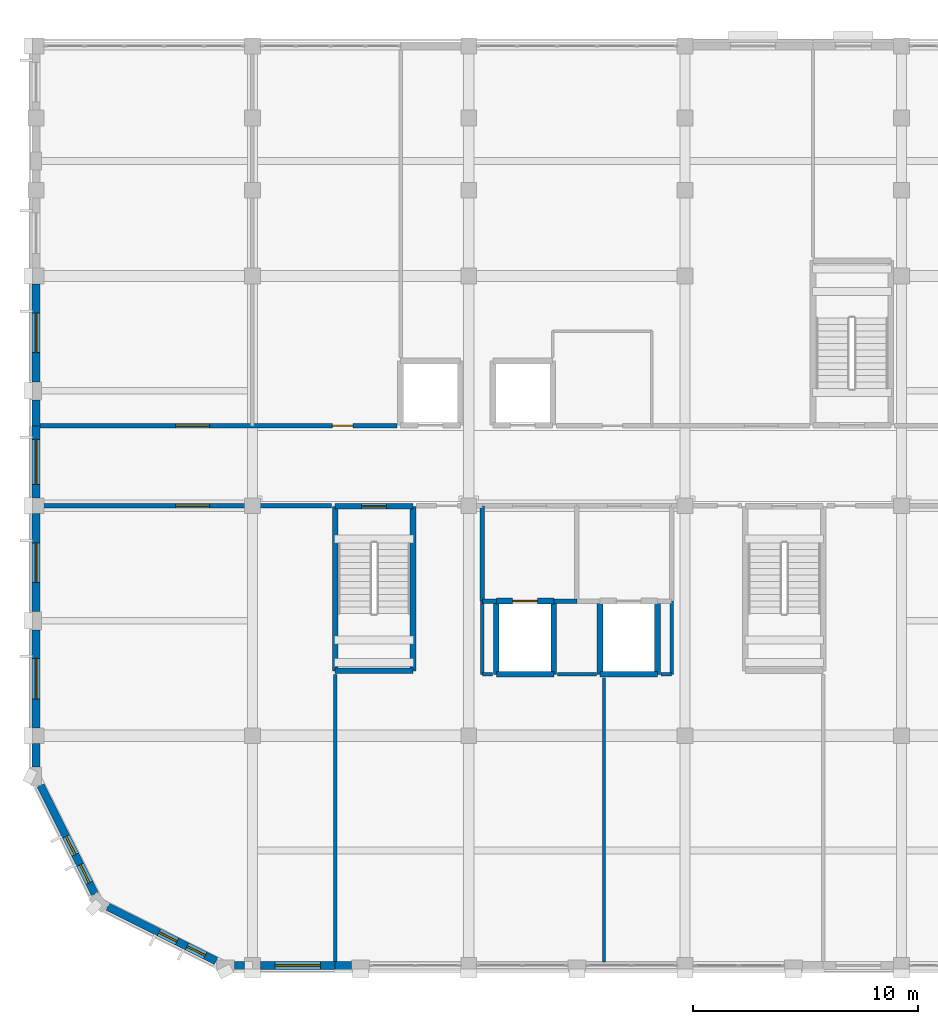
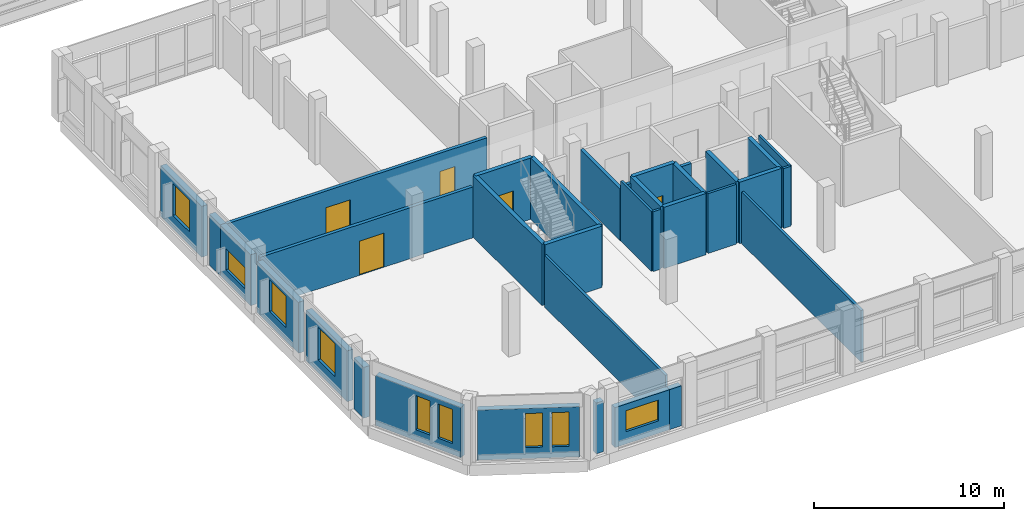
# One storey, part 155 of 185: 34 walls, 9 windows, 5 doors, 14 openings.
"""IFC4 building model written with IfcOpenShell, lengths in metres."""

from ifc_helpers import new_model, si_unit, direction, frame, frame_2d, origin, place, context, subcontext, project, spatial, rectangle, extrude, material, layer, layer_set, type_object, element, fill, save


model = new_model("IFC4")

# Units and contexts
model_context = context("Model", 3, precision=1e-05, world=origin(), true_north=direction((0.0, 1.0)))
body_context = subcontext(model_context, "Body", "Model", "MODEL_VIEW")
ifc_project = project(units=[si_unit("LENGTHUNIT", "METRE"), si_unit("AREAUNIT", "SQUARE_METRE"), si_unit("VOLUMEUNIT", "CUBIC_METRE"), si_unit("PLANEANGLEUNIT", "RADIAN"), si_unit("MASSUNIT", "GRAM", prefix="KILO")], contexts=[model_context])

# Site, building, storey
site_placement = place(None, origin())
site = spatial("IfcSite", under=ifc_project, at=site_placement, CompositionType="ELEMENT")
building_placement = place(site_placement, origin())
building = spatial("IfcBuilding", under=site, at=building_placement, Name="Vondelvale Polytechnic", CompositionType="ELEMENT")
storey_placement = place(building_placement, frame((0.0, 0.0, 9.60009765625)))
storey = spatial("IfcBuildingStorey", under=building, at=storey_placement, Name="L02", CompositionType="ELEMENT", Elevation=9.60009765625)

# Wall, openings, windows
ifc_material_1 = material(Name="Amsterdam School iron-spot clinker clay brickwork", Category="masonry")
ifc_layer_1 = layer(ifc_material_1, 0.35009765625)
ifc_layer_set_1 = layer_set([ifc_layer_1], Name="WL-BRICK-350")
wall_type_1 = type_object("IfcWallType", Name="WL-BRICK-350", PredefinedType="SOLIDWALL", material=ifc_layer_set_1)
wall_1_placement = place(storey_placement, frame((7.9990234375, 0.200439453125, 0.0), z_axis=(0.0, 0.0, 1.0), x_axis=(-0.894418132042, 0.447231712958, 0.0)))
wall_1 = element("IfcWall", 1, at=wall_1_placement, inside=storey, type_object=wall_type_1, Name="L02 exterior masonry facade wall", PredefinedType="SOLIDWALL", context=body_context, shape_type="SweptSolid", body=[
    extrude(rectangle(XDim=5.39013671875, YDim=0.35009765625, at=frame_2d((2.695068359375, 0.0))), origin(), (0.0, 0.0, 1.0), 3.22998046875),
])
opening_1_placement = place(wall_1_placement, frame((0.550048828125, 0.0, 0.699951171875)))
opening_1 = element("IfcOpeningElement", 2, at=opening_1_placement, cuts=wall_1, Name="Opening WN-0183", PredefinedType="OPENING", context=body_context, shape_type="SweptSolid", body=[
    extrude(rectangle(XDim=0.89990234375, YDim=2.199951171875, at=frame_2d((0.449951171875, 1.10009765625))), frame((0.0, 0.18505859375, 0.0), z_axis=(0.0, -1.0, 0.0), x_axis=(1.0, 0.0, 0.0)), (0.0, 0.0, 1.0), 0.3701171875),
])
opening_2_placement = place(wall_1_placement, frame((1.949951171875, 0.0, 0.699951171875)))
opening_2 = element("IfcOpeningElement", 3, at=opening_2_placement, cuts=wall_1, Name="Opening WN-0184", PredefinedType="OPENING", context=body_context, shape_type="SweptSolid", body=[
    extrude(rectangle(XDim=0.89990234375, YDim=2.199951171875, at=frame_2d((0.449951171875, 1.10009765625))), frame((0.0, 0.18505859375, 0.0), z_axis=(0.0, -1.0, 0.0), x_axis=(1.0, 0.0, 0.0)), (0.0, 0.0, 1.0), 0.3701171875),
])
ifc_material_2 = material(Name="Double-glazed low-E insulated architectural glass", Category="glass")
window_type_1 = type_object("IfcWindowType", Name="WN-TUR-0900x2200", PartitioningType="SINGLE_PANEL", PredefinedType="WINDOW", material=ifc_material_2)
window_1_placement = place(opening_1_placement, origin())
window_1 = element("IfcWindow", 4, at=window_1_placement, inside=storey, type_object=window_type_1, Name="L02 double-glazed architectural window WN-0183", OverallHeight=2.199951171875, OverallWidth=0.89990234375, PartitioningType="SINGLE_PANEL", PredefinedType="WINDOW", context=body_context, shape_type="SweptSolid", body=[
    extrude(rectangle(XDim=0.89990234375, YDim=2.199951171875, at=frame_2d((0.449951171875, 1.10009765625))), frame((0.0, 0.030029296875, 0.0), z_axis=(0.0, -1.0, 0.0), x_axis=(1.0, 0.0, 0.0)), (0.0, 0.0, 1.0), 0.06005859375),
])
fill(opening_1, window_1)
window_2_placement = place(opening_2_placement, origin())
window_2 = element("IfcWindow", 5, at=window_2_placement, inside=storey, type_object=window_type_1, Name="L02 double-glazed architectural window WN-0184", OverallHeight=2.199951171875, OverallWidth=0.89990234375, PartitioningType="SINGLE_PANEL", PredefinedType="WINDOW", context=body_context, shape_type="SweptSolid", body=[
    extrude(rectangle(XDim=0.89990234375, YDim=2.199951171875, at=frame_2d((0.449951171875, 1.10009765625))), frame((0.0, 0.030029296875, 0.0), z_axis=(0.0, -1.0, 0.0), x_axis=(1.0, 0.0, 0.0)), (0.0, 0.0, 1.0), 0.06005859375),
])
fill(opening_2, window_2)

wall_2_placement = place(storey_placement, frame((2.611083984375, 3.177978515625, 0.0), z_axis=(0.0, 0.0, 1.0), x_axis=(-0.447231712958, 0.894418132042, 0.0)))
wall_2 = element("IfcWall", 6, at=wall_2_placement, inside=storey, type_object=wall_type_1, Name="L02 exterior masonry facade wall", PredefinedType="SOLIDWALL", context=body_context, shape_type="SweptSolid", body=[
    extrude(rectangle(XDim=5.39013671875, YDim=0.35009765625, at=frame_2d((2.695068359375, 0.0))), origin(), (0.0, 0.0, 1.0), 3.22998046875),
])
opening_3_placement = place(wall_2_placement, frame((0.550048828125, 0.0, 0.699951171875)))
opening_3 = element("IfcOpeningElement", 7, at=opening_3_placement, cuts=wall_2, Name="Opening WN-0185", PredefinedType="OPENING", context=body_context, shape_type="SweptSolid", body=[
    extrude(rectangle(XDim=0.89990234375, YDim=2.199951171875, at=frame_2d((0.449951171875, 1.10009765625))), frame((0.0, 0.18505859375, 0.0), z_axis=(0.0, -1.0, 0.0), x_axis=(1.0, 0.0, 0.0)), (0.0, 0.0, 1.0), 0.3701171875),
])
opening_4_placement = place(wall_2_placement, frame((1.949951171875, 0.0, 0.699951171875)))
opening_4 = element("IfcOpeningElement", 8, at=opening_4_placement, cuts=wall_2, Name="Opening WN-0186", PredefinedType="OPENING", context=body_context, shape_type="SweptSolid", body=[
    extrude(rectangle(XDim=0.89990234375, YDim=2.199951171875, at=frame_2d((0.449951171875, 1.10009765625))), frame((0.0, 0.18505859375, 0.0), z_axis=(0.0, -1.0, 0.0), x_axis=(1.0, 0.0, 0.0)), (0.0, 0.0, 1.0), 0.3701171875),
])
window_3_placement = place(opening_3_placement, origin())
window_3 = element("IfcWindow", 9, at=window_3_placement, inside=storey, type_object=window_type_1, Name="L02 double-glazed architectural window WN-0185", OverallHeight=2.199951171875, OverallWidth=0.89990234375, PartitioningType="SINGLE_PANEL", PredefinedType="WINDOW", context=body_context, shape_type="SweptSolid", body=[
    extrude(rectangle(XDim=0.89990234375, YDim=2.199951171875, at=frame_2d((0.449951171875, 1.10009765625))), frame((0.0, 0.030029296875, 0.0), z_axis=(0.0, -1.0, 0.0), x_axis=(1.0, 0.0, 0.0)), (0.0, 0.0, 1.0), 0.06005859375),
])
fill(opening_3, window_3)
window_4_placement = place(opening_4_placement, origin())
window_4 = element("IfcWindow", 10, at=window_4_placement, inside=storey, type_object=window_type_1, Name="L02 double-glazed architectural window WN-0186", OverallHeight=2.199951171875, OverallWidth=0.89990234375, PartitioningType="SINGLE_PANEL", PredefinedType="WINDOW", context=body_context, shape_type="SweptSolid", body=[
    extrude(rectangle(XDim=0.89990234375, YDim=2.199951171875, at=frame_2d((0.449951171875, 1.10009765625))), frame((0.0, 0.030029296875, 0.0), z_axis=(0.0, -1.0, 0.0), x_axis=(1.0, 0.0, 0.0)), (0.0, 0.0, 1.0), 0.06005859375),
])
fill(opening_4, window_4)

# Wall
wall_3_placement = place(storey_placement, frame((9.2490234375, 0.0, 0.0), z_axis=(0.0, 0.0, 1.0), x_axis=(-1.0, 0.0, 0.0)))
element("IfcWall", 11, at=wall_3_placement, inside=storey, type_object=wall_type_1, Name="L02 exterior masonry facade wall", PredefinedType="SOLIDWALL", context=body_context, shape_type="SweptSolid", body=[
    extrude(rectangle(XDim=0.447998046875, YDim=0.35009765625, at=frame_2d((0.22412109375, 0.0))), origin(), (0.0, 0.0, 1.0), 3.27978515625),
])

# Wall, opening, window
wall_4_placement = place(storey_placement, frame((13.27490234375, 0.0, 0.0), z_axis=(0.0, 0.0, 1.0), x_axis=(-1.0, 0.0, 0.0)))
wall_4 = element("IfcWall", 12, at=wall_4_placement, inside=storey, type_object=wall_type_1, Name="L02 exterior masonry facade wall", PredefinedType="SOLIDWALL", context=body_context, shape_type="SweptSolid", body=[
    extrude(rectangle(XDim=3.323974609375, YDim=0.35009765625, at=frame_2d((1.662109375, 0.0))), origin(), (0.0, 0.0, 1.0), 2.579833984375),
])
opening_5_placement = place(wall_4_placement, frame((0.662109375, 0.0, 0.800048828125)))
opening_5 = element("IfcOpeningElement", 13, at=opening_5_placement, cuts=wall_4, Name="Opening WN-0187", PredefinedType="OPENING", context=body_context, shape_type="SweptSolid", body=[
    extrude(rectangle(XDim=2.0, YDim=1.35009765625, at=frame_2d((1.0, 0.675048828125))), frame((0.0, 0.18505859375, 0.0), z_axis=(0.0, -1.0, 0.0), x_axis=(1.0, 0.0, 0.0)), (0.0, 0.0, 1.0), 0.3701171875),
])
window_type_2 = type_object("IfcWindowType", Name="WN-RIB-2000x1350", PartitioningType="SINGLE_PANEL", PredefinedType="WINDOW", material=ifc_material_2)
window_5_placement = place(opening_5_placement, origin())
window_5 = element("IfcWindow", 14, at=window_5_placement, inside=storey, type_object=window_type_2, Name="L02 double-glazed architectural window WN-0187", OverallHeight=1.35009765625, OverallWidth=2.0, PartitioningType="SINGLE_PANEL", PredefinedType="WINDOW", context=body_context, shape_type="SweptSolid", body=[
    extrude(rectangle(XDim=2.0, YDim=1.35009765625, at=frame_2d((1.0, 0.675048828125))), frame((0.0, 0.030029296875, 0.0), z_axis=(0.0, -1.0, 0.0), x_axis=(1.0, 0.0, 0.0)), (0.0, 0.0, 1.0), 0.06005859375),
])
fill(opening_5, window_5)

# Walls
wall_5_placement = place(storey_placement, frame((13.9990234375, 0.0, 0.0), z_axis=(0.0, 0.0, 1.0), x_axis=(-1.0, 0.0, 0.0)))
element("IfcWall", 15, at=wall_5_placement, inside=storey, type_object=wall_type_1, Name="L02 exterior masonry facade wall", PredefinedType="SOLIDWALL", context=body_context, shape_type="SweptSolid", body=[
    extrude(rectangle(XDim=0.72412109375, YDim=0.35009765625, at=frame_2d((0.362060546875, 0.0))), origin(), (0.0, 0.0, 1.0), 2.579833984375),
])
wall_6_placement = place(storey_placement, frame((0.0, 8.801025390625, 0.0), z_axis=(0.0, 0.0, 1.0), x_axis=(0.0, 1.0, 0.0)))
element("IfcWall", 16, at=wall_6_placement, inside=storey, type_object=wall_type_1, Name="L02 exterior masonry facade wall", PredefinedType="SOLIDWALL", context=body_context, shape_type="SweptSolid", body=[
    extrude(rectangle(XDim=1.048095703125, YDim=0.35009765625, at=frame_2d((0.52392578125, 0.0))), origin(), (0.0, 0.0, 1.0), 3.27978515625),
])

# Wall, opening, window
wall_7_placement = place(storey_placement, frame((0.0, 10.551025390625, 0.0), z_axis=(0.0, 0.0, 1.0), x_axis=(0.0, 1.0, 0.0)))
wall_7 = element("IfcWall", 17, at=wall_7_placement, inside=storey, type_object=wall_type_1, Name="L02 exterior masonry facade wall", PredefinedType="SOLIDWALL", context=body_context, shape_type="SweptSolid", body=[
    extrude(rectangle(XDim=4.347900390625, YDim=0.35009765625, at=frame_2d((2.173828125, 0.0))), origin(), (0.0, 0.0, 1.0), 3.27978515625),
])
opening_6_placement = place(wall_7_placement, frame((1.27392578125, 0.0, 0.85009765625)))
opening_6 = element("IfcOpeningElement", 18, at=opening_6_placement, cuts=wall_7, Name="Opening WN-0189", PredefinedType="OPENING", context=body_context, shape_type="SweptSolid", body=[
    extrude(rectangle(XDim=1.800048828125, YDim=2.10009765625, at=frame_2d((0.89990234375, 1.050048828125))), frame((0.0, 0.18505859375, 0.0), z_axis=(0.0, -1.0, 0.0), x_axis=(1.0, 0.0, 0.0)), (0.0, 0.0, 1.0), 0.3701171875),
])
window_type_3 = type_object("IfcWindowType", Name="WN-LAB-1800x2100", PartitioningType="SINGLE_PANEL", PredefinedType="WINDOW", material=ifc_material_2)
window_6_placement = place(opening_6_placement, origin())
window_6 = element("IfcWindow", 19, at=window_6_placement, inside=storey, type_object=window_type_3, Name="L02 double-glazed architectural window WN-0189", OverallHeight=2.10009765625, OverallWidth=1.800048828125, PartitioningType="SINGLE_PANEL", PredefinedType="WINDOW", context=body_context, shape_type="SweptSolid", body=[
    extrude(rectangle(XDim=1.800048828125, YDim=2.10009765625, at=frame_2d((0.89990234375, 1.050048828125))), frame((0.0, 0.030029296875, 0.0), z_axis=(0.0, -1.0, 0.0), x_axis=(1.0, 0.0, 0.0)), (0.0, 0.0, 1.0), 0.06005859375),
])
fill(opening_6, window_6)

wall_8_placement = place(storey_placement, frame((0.0, 15.700927734375, 0.0), z_axis=(0.0, 0.0, 1.0), x_axis=(0.0, 1.0, 0.0)))
wall_8 = element("IfcWall", 20, at=wall_8_placement, inside=storey, type_object=wall_type_1, Name="L02 exterior masonry facade wall", PredefinedType="SOLIDWALL", context=body_context, shape_type="SweptSolid", body=[
    extrude(rectangle(XDim=4.34814453125, YDim=0.35009765625, at=frame_2d((2.174072265625, 0.0))), origin(), (0.0, 0.0, 1.0), 3.27978515625),
])
opening_7_placement = place(wall_8_placement, frame((1.299072265625, 0.0, 0.85009765625)))
opening_7 = element("IfcOpeningElement", 21, at=opening_7_placement, cuts=wall_8, Name="Opening WN-0190", PredefinedType="OPENING", context=body_context, shape_type="SweptSolid", body=[
    extrude(rectangle(XDim=1.75, YDim=2.050048828125, at=frame_2d((0.875, 1.02490234375))), frame((0.0, 0.18505859375, 0.0), z_axis=(0.0, -1.0, 0.0), x_axis=(1.0, 0.0, 0.0)), (0.0, 0.0, 1.0), 0.3701171875),
])
window_type_4 = type_object("IfcWindowType", Name="WN-LAB-1750x2050", PartitioningType="SINGLE_PANEL", PredefinedType="WINDOW", material=ifc_material_2)
window_7_placement = place(opening_7_placement, origin())
window_7 = element("IfcWindow", 22, at=window_7_placement, inside=storey, type_object=window_type_4, Name="L02 double-glazed architectural window WN-0190", OverallHeight=2.050048828125, OverallWidth=1.75, PartitioningType="SINGLE_PANEL", PredefinedType="WINDOW", context=body_context, shape_type="SweptSolid", body=[
    extrude(rectangle(XDim=1.75, YDim=2.050048828125, at=frame_2d((0.875, 1.02490234375))), frame((0.0, 0.030029296875, 0.0), z_axis=(0.0, -1.0, 0.0), x_axis=(1.0, 0.0, 0.0)), (0.0, 0.0, 1.0), 0.06005859375),
])
fill(opening_7, window_7)

wall_9_placement = place(storey_placement, frame((0.0, 20.7509765625, 0.0), z_axis=(0.0, 0.0, 1.0), x_axis=(0.0, 1.0, 0.0)))
wall_9 = element("IfcWall", 23, at=wall_9_placement, inside=storey, type_object=wall_type_1, Name="L02 exterior masonry facade wall", PredefinedType="SOLIDWALL", context=body_context, shape_type="SweptSolid", body=[
    extrude(rectangle(XDim=3.198974609375, YDim=0.35009765625, at=frame_2d((1.599609375, 0.0))), origin(), (0.0, 0.0, 1.0), 3.27978515625),
])
opening_8_placement = place(wall_9_placement, frame((0.599609375, 0.0, 0.75)))
opening_8 = element("IfcOpeningElement", 24, at=opening_8_placement, cuts=wall_9, Name="Opening WN-0191", PredefinedType="OPENING", context=body_context, shape_type="SweptSolid", body=[
    extrude(rectangle(XDim=2.0, YDim=1.35009765625, at=frame_2d((1.0, 0.675048828125))), frame((0.0, 0.18505859375, 0.0), z_axis=(0.0, -1.0, 0.0), x_axis=(1.0, 0.0, 0.0)), (0.0, 0.0, 1.0), 0.3701171875),
])
window_8_placement = place(opening_8_placement, origin())
window_8 = element("IfcWindow", 25, at=window_8_placement, inside=storey, type_object=window_type_2, Name="L02 double-glazed architectural window WN-0191", OverallHeight=1.35009765625, OverallWidth=2.0, PartitioningType="SINGLE_PANEL", PredefinedType="WINDOW", context=body_context, shape_type="SweptSolid", body=[
    extrude(rectangle(XDim=2.0, YDim=1.35009765625, at=frame_2d((1.0, 0.675048828125))), frame((0.0, 0.030029296875, 0.0), z_axis=(0.0, -1.0, 0.0), x_axis=(1.0, 0.0, 0.0)), (0.0, 0.0, 1.0), 0.06005859375),
])
fill(opening_8, window_8)

# Wall
wall_10_placement = place(storey_placement, frame((0.0, 23.949951171875, 0.0), z_axis=(0.0, 0.0, 1.0), x_axis=(0.0, 1.0, 0.0)))
element("IfcWall", 26, at=wall_10_placement, inside=storey, type_object=wall_type_1, Name="L02 exterior masonry facade wall", PredefinedType="SOLIDWALL", context=body_context, shape_type="SweptSolid", body=[
    extrude(rectangle(XDim=1.149169921875, YDim=0.35009765625, at=frame_2d((0.57470703125, 0.0))), origin(), (0.0, 0.0, 1.0), 3.27978515625),
])

# Wall, opening, window
wall_11_placement = place(storey_placement, frame((0.0, 25.90087890625, 0.0), z_axis=(0.0, 0.0, 1.0), x_axis=(0.0, 1.0, 0.0)))
wall_11 = element("IfcWall", 27, at=wall_11_placement, inside=storey, type_object=wall_type_1, Name="L02 exterior masonry facade wall", PredefinedType="SOLIDWALL", context=body_context, shape_type="SweptSolid", body=[
    extrude(rectangle(XDim=4.34814453125, YDim=0.35009765625, at=frame_2d((2.174072265625, 0.0))), origin(), (0.0, 0.0, 1.0), 3.27978515625),
])
opening_9_placement = place(wall_11_placement, frame((1.299072265625, 0.0, 0.85009765625)))
opening_9 = element("IfcOpeningElement", 28, at=opening_9_placement, cuts=wall_11, Name="Opening WN-0192", PredefinedType="OPENING", context=body_context, shape_type="SweptSolid", body=[
    extrude(rectangle(XDim=1.75, YDim=2.050048828125, at=frame_2d((0.875, 1.02490234375))), frame((0.0, 0.18505859375, 0.0), z_axis=(0.0, -1.0, 0.0), x_axis=(1.0, 0.0, 0.0)), (0.0, 0.0, 1.0), 0.3701171875),
])
window_9_placement = place(opening_9_placement, origin())
window_9 = element("IfcWindow", 29, at=window_9_placement, inside=storey, type_object=window_type_4, Name="L02 double-glazed architectural window WN-0192", OverallHeight=2.050048828125, OverallWidth=1.75, PartitioningType="SINGLE_PANEL", PredefinedType="WINDOW", context=body_context, shape_type="SweptSolid", body=[
    extrude(rectangle(XDim=1.75, YDim=2.050048828125, at=frame_2d((0.875, 1.02490234375))), frame((0.0, 0.030029296875, 0.0), z_axis=(0.0, -1.0, 0.0), x_axis=(1.0, 0.0, 0.0)), (0.0, 0.0, 1.0), 0.06005859375),
])
fill(opening_9, window_9)

# Walls
ifc_material_3 = material(Name="Concrete N40 (f'c = 40 MPa)", Category="concrete")
ifc_layer_2 = layer(ifc_material_3, 0.25)
ifc_layer_set_2 = layer_set([ifc_layer_2], Name="WL-CORE-250")
wall_type_2 = type_object("IfcWallType", Name="WL-CORE-250", PredefinedType="SOLIDWALL", material=ifc_layer_set_2)
wall_12_placement = place(storey_placement, frame((13.27490234375, 20.375, 0.0), z_axis=(0.0, 0.0, 1.0), x_axis=(0.0, -1.0, 0.0)))
element("IfcWall", 30, at=wall_12_placement, inside=storey, type_object=wall_type_2, Name="L02 ST-03 reinforced concrete stair core wall", PredefinedType="SOLIDWALL", context=body_context, shape_type="SweptSolid", body=[
    extrude(rectangle(XDim=7.300048828125, YDim=0.25, at=frame_2d((3.64990234375, 0.0))), origin(), (0.0, 0.0, 1.0), 3.949951171875),
])
wall_13_placement = place(storey_placement, frame((13.27490234375, 13.074951171875, 0.0), z_axis=(0.0, 0.0, 1.0), x_axis=(1.0, 0.0, 0.0)))
element("IfcWall", 31, at=wall_13_placement, inside=storey, type_object=wall_type_2, Name="L02 ST-03 reinforced concrete stair core wall", PredefinedType="SOLIDWALL", context=body_context, shape_type="SweptSolid", body=[
    extrude(rectangle(XDim=3.4501953125, YDim=0.25, at=frame_2d((1.72509765625, 0.0))), origin(), (0.0, 0.0, 1.0), 3.949951171875),
])
wall_14_placement = place(storey_placement, frame((16.72509765625, 13.074951171875, 0.0), z_axis=(0.0, 0.0, 1.0), x_axis=(0.0, 1.0, 0.0)))
element("IfcWall", 32, at=wall_14_placement, inside=storey, type_object=wall_type_2, Name="L02 ST-03 reinforced concrete stair core wall", PredefinedType="SOLIDWALL", context=body_context, shape_type="SweptSolid", body=[
    extrude(rectangle(XDim=7.300048828125, YDim=0.25, at=frame_2d((3.64990234375, 0.0))), origin(), (0.0, 0.0, 1.0), 3.949951171875),
])

# Wall, opening, door
wall_15_placement = place(storey_placement, frame((16.72509765625, 20.375, 0.0), z_axis=(0.0, 0.0, 1.0), x_axis=(-1.0, 0.0, 0.0)))
wall_15 = element("IfcWall", 33, at=wall_15_placement, inside=storey, type_object=wall_type_2, Name="L02 ST-03 reinforced concrete stair core wall", PredefinedType="SOLIDWALL", context=body_context, shape_type="SweptSolid", body=[
    extrude(rectangle(XDim=3.4501953125, YDim=0.25, at=frame_2d((1.72509765625, 0.0))), origin(), (0.0, 0.0, 1.0), 3.949951171875),
])
opening_10_placement = place(wall_15_placement, frame((1.175048828125, 0.0, 0.0)))
opening_10 = element("IfcOpeningElement", 34, at=opening_10_placement, cuts=wall_15, Name="Opening SD-012", PredefinedType="OPENING", context=body_context, shape_type="SweptSolid", body=[
    extrude(rectangle(XDim=1.10009765625, YDim=2.199951171875, at=frame_2d((0.550048828125, 1.10009765625))), frame((0.0, 0.135009765625, 0.0), z_axis=(0.0, -1.0, 0.0), x_axis=(1.0, 0.0, 0.0)), (0.0, 0.0, 1.0), 0.27001953125),
])
ifc_material_4 = material(Name="Brushed architectural stainless and zinc-coated metal")
door_type_1 = type_object("IfcDoorType", Name="DR-STAIR-1100x2200", OperationType="SINGLE_SWING_LEFT", PredefinedType="DOOR", material=ifc_material_4)
door_1_placement = place(opening_10_placement, origin())
door_1 = element("IfcDoor", 35, at=door_1_placement, inside=storey, type_object=door_type_1, Name="L02 ST-03 fire-isolated stair door", OperationType="SINGLE_SWING_RIGHT", OverallHeight=2.199951171875, OverallWidth=1.10009765625, PredefinedType="DOOR", context=body_context, shape_type="SweptSolid", body=[
    extrude(rectangle(XDim=1.10009765625, YDim=2.199951171875, at=frame_2d((0.550048828125, 1.10009765625))), frame((0.0, 0.02490234375, 0.0), z_axis=(0.0, -1.0, 0.0), x_axis=(1.0, 0.0, 0.0)), (0.0, 0.0, 1.0), 0.050048828125),
])
fill(opening_10, door_1)

# Walls
ifc_material_5 = material(Name="Fire-rated double-layer plasterboard stud partition")
ifc_layer_3 = layer(ifc_material_5, 0.199951171875)
ifc_layer_set_3 = layer_set([ifc_layer_3], Name="WL-CORR-200")
wall_type_3 = type_object("IfcWallType", Name="WL-CORR-200", PredefinedType="PARTITIONING", material=ifc_layer_set_3)
wall_16_placement = place(storey_placement, frame((19.800048828125, 16.175048828125, 0.0), z_axis=(0.0, 0.0, 1.0), x_axis=(0.0, 1.0, 0.0)))
element("IfcWall", 36, at=wall_16_placement, inside=storey, type_object=wall_type_3, Name="L02 EL-01 fire-isolated lift lobby wall", PredefinedType="PARTITIONING", context=body_context, shape_type="SweptSolid", body=[
    extrude(rectangle(XDim=4.224853515625, YDim=0.199951171875, at=frame_2d((2.1123046875, 0.0))), origin(), (0.0, 0.0, 1.0), 3.329833984375),
])
wall_17_placement = place(storey_placement, frame((19.800048828125, 16.175048828125, 0.0), z_axis=(0.0, 0.0, 1.0), x_axis=(1.0, 0.0, 0.0)))
element("IfcWall", 37, at=wall_17_placement, inside=storey, type_object=wall_type_3, Name="L02 EL-01 fire-isolated lift lobby wall", PredefinedType="PARTITIONING", context=body_context, shape_type="SweptSolid", body=[
    extrude(rectangle(XDim=0.625, YDim=0.199951171875, at=frame_2d((0.3125, 0.0))), origin(), (0.0, 0.0, 1.0), 3.5498046875),
])
wall_18_placement = place(storey_placement, frame((22.97509765625, 16.175048828125, 0.0), z_axis=(0.0, 0.0, 1.0), x_axis=(1.0, 0.0, 0.0)))
element("IfcWall", 38, at=wall_18_placement, inside=storey, type_object=wall_type_3, Name="L02 EL-01 fire-isolated lift lobby wall", PredefinedType="PARTITIONING", context=body_context, shape_type="SweptSolid", body=[
    extrude(rectangle(XDim=1.02490234375, YDim=0.199951171875, at=frame_2d((0.512451171875, 0.0))), origin(), (0.0, 0.0, 1.0), 3.5498046875),
])

# Wall, opening, door
wall_19_placement = place(storey_placement, frame((0.14990234375, 20.39990234375, 0.0), z_axis=(0.0, 0.0, 1.0), x_axis=(1.0, 0.0, 0.0)))
wall_19 = element("IfcWall", 39, at=wall_19_placement, inside=storey, type_object=wall_type_3, Name="L02 interior acoustic partition", PredefinedType="PARTITIONING", context=body_context, shape_type="SweptSolid", body=[
    extrude(rectangle(XDim=12.960205078125, YDim=0.199951171875, at=frame_2d((6.47998046875, 0.0))), origin(), (0.0, 0.0, 1.0), 3.27978515625),
])
opening_11_placement = place(wall_19_placement, frame((6.050048828125, 0.0, 0.0)))
opening_11 = element("IfcOpeningElement", 40, at=opening_11_placement, cuts=wall_19, Name="Opening ID-0158", PredefinedType="OPENING", context=body_context, shape_type="SweptSolid", body=[
    extrude(rectangle(XDim=1.5, YDim=2.199951171875, at=frame_2d((0.75, 1.10009765625))), frame((0.0, 0.10986328125, 0.0), z_axis=(0.0, -1.0, 0.0), x_axis=(1.0, 0.0, 0.0)), (0.0, 0.0, 1.0), 0.219970703125),
])
ifc_material_6 = material(Name="Fire-rated solid Tasmanian oak joinery")
door_type_2 = type_object("IfcDoorType", Name="DR-LAB-1500x2200", OperationType="DOUBLE_DOOR_SINGLE_SWING", PredefinedType="DOOR", material=ifc_material_6)
door_2_placement = place(opening_11_placement, origin())
door_2 = element("IfcDoor", 41, at=door_2_placement, inside=storey, type_object=door_type_2, Name="L02 interior room door ID-0158", OperationType="DOUBLE_DOOR_SINGLE_SWING", OverallHeight=2.199951171875, OverallWidth=1.5, PredefinedType="DOOR", context=body_context, shape_type="SweptSolid", body=[
    extrude(rectangle(XDim=1.5, YDim=2.199951171875, at=frame_2d((0.75, 1.10009765625))), frame((0.0, 0.02490234375, 0.0), z_axis=(0.0, -1.0, 0.0), x_axis=(1.0, 0.0, 0.0)), (0.0, 0.0, 1.0), 0.050048828125),
])
fill(opening_11, door_2)

# Wall, openings, doors
wall_20_placement = place(storey_placement, frame((0.14990234375, 23.949951171875, 0.0), z_axis=(0.0, 0.0, 1.0), x_axis=(1.0, 0.0, 0.0)))
wall_20 = element("IfcWall", 42, at=wall_20_placement, inside=storey, type_object=wall_type_3, Name="L02 interior acoustic partition", PredefinedType="PARTITIONING", context=body_context, shape_type="SweptSolid", body=[
    extrude(rectangle(XDim=15.860107421875, YDim=0.199951171875, at=frame_2d((7.93017578125, 0.0))), origin(), (0.0, 0.0, 1.0), 3.27978515625),
])
opening_12_placement = place(wall_20_placement, frame((6.050048828125, 0.0, 0.0)))
opening_12 = element("IfcOpeningElement", 43, at=opening_12_placement, cuts=wall_20, Name="Opening ID-0163", PredefinedType="OPENING", context=body_context, shape_type="SweptSolid", body=[
    extrude(rectangle(XDim=1.5, YDim=2.199951171875, at=frame_2d((0.75, 1.10009765625))), frame((0.0, 0.10986328125, 0.0), z_axis=(0.0, -1.0, 0.0), x_axis=(1.0, 0.0, 0.0)), (0.0, 0.0, 1.0), 0.219970703125),
])
opening_13_placement = place(wall_20_placement, frame((13.0, 0.0, 0.0)))
opening_13 = element("IfcOpeningElement", 44, at=opening_13_placement, cuts=wall_20, Name="Opening ID-0164", PredefinedType="OPENING", context=body_context, shape_type="SweptSolid", body=[
    extrude(rectangle(XDim=0.919921875, YDim=2.10009765625, at=frame_2d((0.4599609375, 1.050048828125))), frame((0.0, 0.10986328125, 0.0), z_axis=(0.0, -1.0, 0.0), x_axis=(1.0, 0.0, 0.0)), (0.0, 0.0, 1.0), 0.219970703125),
])
door_type_3 = type_object("IfcDoorType", Name="DR-INT-0920x2100", OperationType="SINGLE_SWING_LEFT", PredefinedType="DOOR", material=ifc_material_6)
door_3_placement = place(opening_13_placement, origin())
door_3 = element("IfcDoor", 45, at=door_3_placement, inside=storey, type_object=door_type_3, Name="L02 interior room door ID-0164", OperationType="SINGLE_SWING_RIGHT", OverallHeight=2.10009765625, OverallWidth=0.919921875, PredefinedType="DOOR", context=body_context, shape_type="SweptSolid", body=[
    extrude(rectangle(XDim=0.919921875, YDim=2.10009765625, at=frame_2d((0.4599609375, 1.050048828125))), frame((0.0, 0.02490234375, 0.0), z_axis=(0.0, -1.0, 0.0), x_axis=(1.0, 0.0, 0.0)), (0.0, 0.0, 1.0), 0.050048828125),
])
fill(opening_13, door_3)
door_4_placement = place(opening_12_placement, origin())
door_4 = element("IfcDoor", 46, at=door_4_placement, inside=storey, type_object=door_type_2, Name="L02 interior room door ID-0163", OperationType="DOUBLE_DOOR_SINGLE_SWING", OverallHeight=2.199951171875, OverallWidth=1.5, PredefinedType="DOOR", context=body_context, shape_type="SweptSolid", body=[
    extrude(rectangle(XDim=1.5, YDim=2.199951171875, at=frame_2d((0.75, 1.10009765625))), frame((0.0, 0.02490234375, 0.0), z_axis=(0.0, -1.0, 0.0), x_axis=(1.0, 0.0, 0.0)), (0.0, 0.0, 1.0), 0.050048828125),
])
fill(opening_12, door_4)

# Walls
ifc_layer_4 = layer(ifc_material_5, 0.14990234375)
ifc_layer_set_4 = layer_set([ifc_layer_4], Name="WL-INT-150")
wall_type_4 = type_object("IfcWallType", Name="WL-INT-150", PredefinedType="PARTITIONING", material=ifc_layer_set_4)
wall_21_placement = place(storey_placement, frame((13.27490234375, 0.14990234375, 0.0), z_axis=(0.0, 0.0, 1.0), x_axis=(0.0, 1.0, 0.0)))
element("IfcWall", 47, at=wall_21_placement, inside=storey, type_object=wall_type_4, Name="L02 interior acoustic partition", PredefinedType="PARTITIONING", context=body_context, shape_type="SweptSolid", body=[
    extrude(rectangle(XDim=12.760009765625, YDim=0.14990234375, at=frame_2d((6.3798828125, 0.0))), origin(), (0.0, 0.0, 1.0), 3.329833984375),
])
wall_22_placement = place(storey_placement, frame((19.800048828125, 12.925048828125, 0.0), z_axis=(0.0, 0.0, 1.0), x_axis=(1.0, 0.0, 0.0)))
element("IfcWall", 48, at=wall_22_placement, inside=storey, type_object=wall_type_4, Name="L02 interior acoustic partition", PredefinedType="PARTITIONING", context=body_context, shape_type="SweptSolid", body=[
    extrude(rectangle(XDim=0.4599609375, YDim=0.14990234375, at=frame_2d((0.22998046875, 0.0))), origin(), (0.0, 0.0, 1.0), 3.849853515625),
])
wall_23_placement = place(storey_placement, frame((23.139892578125, 12.925048828125, 0.0), z_axis=(0.0, 0.0, 1.0), x_axis=(1.0, 0.0, 0.0)))
element("IfcWall", 49, at=wall_23_placement, inside=storey, type_object=wall_type_4, Name="L02 interior acoustic partition", PredefinedType="PARTITIONING", context=body_context, shape_type="SweptSolid", body=[
    extrude(rectangle(XDim=1.72021484375, YDim=0.14990234375, at=frame_2d((0.860107421875, 0.0))), origin(), (0.0, 0.0, 1.0), 3.849853515625),
])
wall_24_placement = place(storey_placement, frame((27.739990234375, 12.925048828125, 0.0), z_axis=(0.0, 0.0, 1.0), x_axis=(1.0, 0.0, 0.0)))
element("IfcWall", 50, at=wall_24_placement, inside=storey, type_object=wall_type_4, Name="L02 interior acoustic partition", PredefinedType="PARTITIONING", context=body_context, shape_type="SweptSolid", body=[
    extrude(rectangle(XDim=0.4599609375, YDim=0.14990234375, at=frame_2d((0.22998046875, 0.0))), origin(), (0.0, 0.0, 1.0), 3.849853515625),
])
wall_25_placement = place(storey_placement, frame((19.800048828125, 12.925048828125, 0.0), z_axis=(0.0, 0.0, 1.0), x_axis=(0.0, 1.0, 0.0)))
element("IfcWall", 51, at=wall_25_placement, inside=storey, type_object=wall_type_4, Name="L02 interior acoustic partition", PredefinedType="PARTITIONING", context=body_context, shape_type="SweptSolid", body=[
    extrude(rectangle(XDim=3.25, YDim=0.14990234375, at=frame_2d((1.625, 0.0))), origin(), (0.0, 0.0, 1.0), 3.849853515625),
])
wall_26_placement = place(storey_placement, frame((25.199951171875, 0.14990234375, 0.0), z_axis=(0.0, 0.0, 1.0), x_axis=(0.0, 1.0, 0.0)))
element("IfcWall", 52, at=wall_26_placement, inside=storey, type_object=wall_type_4, Name="L02 interior acoustic partition", PredefinedType="PARTITIONING", context=body_context, shape_type="SweptSolid", body=[
    extrude(rectangle(XDim=12.610107421875, YDim=0.14990234375, at=frame_2d((6.30517578125, 0.0))), origin(), (0.0, 0.0, 1.0), 3.329833984375),
])
wall_27_placement = place(storey_placement, frame((28.199951171875, 12.925048828125, 0.0), z_axis=(0.0, 0.0, 1.0), x_axis=(0.0, 1.0, 0.0)))
element("IfcWall", 53, at=wall_27_placement, inside=storey, type_object=wall_type_4, Name="L02 interior acoustic partition", PredefinedType="PARTITIONING", context=body_context, shape_type="SweptSolid", body=[
    extrude(rectangle(XDim=3.25, YDim=0.14990234375, at=frame_2d((1.625, 0.0))), origin(), (0.0, 0.0, 1.0), 3.849853515625),
])
ifc_layer_5 = layer(ifc_material_3, 0.25)
ifc_layer_set_5 = layer_set([ifc_layer_5], Name="WL-SHAFT-250")
wall_type_5 = type_object("IfcWallType", Name="WL-SHAFT-250", PredefinedType="SOLIDWALL", material=ifc_layer_set_5)
wall_28_placement = place(storey_placement, frame((20.425048828125, 12.925048828125, 0.0), z_axis=(0.0, 0.0, 1.0), x_axis=(1.0, 0.0, 0.0)))
element("IfcWall", 54, at=wall_28_placement, inside=storey, type_object=wall_type_5, Name="L02 EL-01 lift shaft wall S", PredefinedType="SOLIDWALL", context=body_context, shape_type="SweptSolid", body=[
    extrude(rectangle(XDim=2.550048828125, YDim=0.25, at=frame_2d((1.27490234375, 0.0))), origin(), (0.0, 0.0, 1.0), 3.949951171875),
])
wall_29_placement = place(storey_placement, frame((22.97509765625, 12.925048828125, 0.0), z_axis=(0.0, 0.0, 1.0), x_axis=(0.0, 1.0, 0.0)))
element("IfcWall", 55, at=wall_29_placement, inside=storey, type_object=wall_type_5, Name="L02 EL-01 lift shaft wall E", PredefinedType="SOLIDWALL", context=body_context, shape_type="SweptSolid", body=[
    extrude(rectangle(XDim=3.25, YDim=0.25, at=frame_2d((1.625, 0.0))), origin(), (0.0, 0.0, 1.0), 3.949951171875),
])

# Wall, opening, door
wall_30_placement = place(storey_placement, frame((22.97509765625, 16.175048828125, 0.0), z_axis=(0.0, 0.0, 1.0), x_axis=(-1.0, 0.0, 0.0)))
wall_30 = element("IfcWall", 56, at=wall_30_placement, inside=storey, type_object=wall_type_5, Name="L02 EL-01 lift shaft wall N", PredefinedType="SOLIDWALL", context=body_context, shape_type="SweptSolid", body=[
    extrude(rectangle(XDim=2.550048828125, YDim=0.25, at=frame_2d((1.27490234375, 0.0))), origin(), (0.0, 0.0, 1.0), 3.949951171875),
])
opening_14_placement = place(wall_30_placement, frame((0.72509765625, 0.0, 0.0)))
opening_14 = element("IfcOpeningElement", 57, at=opening_14_placement, cuts=wall_30, Name="Opening LD-004", PredefinedType="OPENING", context=body_context, shape_type="SweptSolid", body=[
    extrude(rectangle(XDim=1.10009765625, YDim=2.10009765625, at=frame_2d((0.550048828125, 1.050048828125))), frame((0.0, 0.135009765625, 0.0), z_axis=(0.0, -1.0, 0.0), x_axis=(1.0, 0.0, 0.0)), (0.0, 0.0, 1.0), 0.27001953125),
])
door_type_4 = type_object("IfcDoorType", Name="DR-LIFT-1100x2100", OperationType="SLIDING_TO_LEFT", PredefinedType="DOOR", material=ifc_material_4)
door_5_placement = place(opening_14_placement, origin())
door_5 = element("IfcDoor", 58, at=door_5_placement, inside=storey, type_object=door_type_4, Name="L02 EL-01 sliding lift landing door", OperationType="SLIDING_TO_LEFT", OverallHeight=2.10009765625, OverallWidth=1.10009765625, PredefinedType="DOOR", context=body_context, shape_type="SweptSolid", body=[
    extrude(rectangle(XDim=1.10009765625, YDim=2.10009765625, at=frame_2d((0.550048828125, 1.050048828125))), frame((0.0, 0.02490234375, 0.0), z_axis=(0.0, -1.0, 0.0), x_axis=(1.0, 0.0, 0.0)), (0.0, 0.0, 1.0), 0.050048828125),
])
fill(opening_14, door_5)

# Walls
wall_31_placement = place(storey_placement, frame((20.425048828125, 16.175048828125, 0.0), z_axis=(0.0, 0.0, 1.0), x_axis=(0.0, -1.0, 0.0)))
element("IfcWall", 59, at=wall_31_placement, inside=storey, type_object=wall_type_5, Name="L02 EL-01 lift shaft wall W", PredefinedType="SOLIDWALL", context=body_context, shape_type="SweptSolid", body=[
    extrude(rectangle(XDim=3.25, YDim=0.25, at=frame_2d((1.625, 0.0))), origin(), (0.0, 0.0, 1.0), 3.949951171875),
])
wall_32_placement = place(storey_placement, frame((25.02490234375, 12.925048828125, 0.0), z_axis=(0.0, 0.0, 1.0), x_axis=(1.0, 0.0, 0.0)))
element("IfcWall", 60, at=wall_32_placement, inside=storey, type_object=wall_type_5, Name="L02 EL-02 lift shaft wall S", PredefinedType="SOLIDWALL", context=body_context, shape_type="SweptSolid", body=[
    extrude(rectangle(XDim=2.550048828125, YDim=0.25, at=frame_2d((1.27490234375, 0.0))), origin(), (0.0, 0.0, 1.0), 3.949951171875),
])
for number, where, z_axis, x_axis, name in (
    (61, (27.574951171875, 12.925048828125, 0.0), (0.0, 0.0, 1.0), (0.0, 1.0, 0.0), "L02 EL-02 lift shaft wall E"),
    (62, (25.02490234375, 16.175048828125, 0.0), (0.0, 0.0, 1.0), (0.0, -1.0, 0.0), "L02 EL-02 lift shaft wall W"),
):
    element("IfcWall", number, at=place(storey_placement, frame(where, z_axis=z_axis, x_axis=x_axis)), inside=storey, type_object=wall_type_5, Name=name, PredefinedType="SOLIDWALL", context=body_context, shape_type="SweptSolid", body=[
        extrude(rectangle(XDim=3.25, YDim=0.25, at=frame_2d((1.625, 0.0))), origin(), (0.0, 0.0, 1.0), 3.949951171875),
    ])

save(model, "model.ifc")
